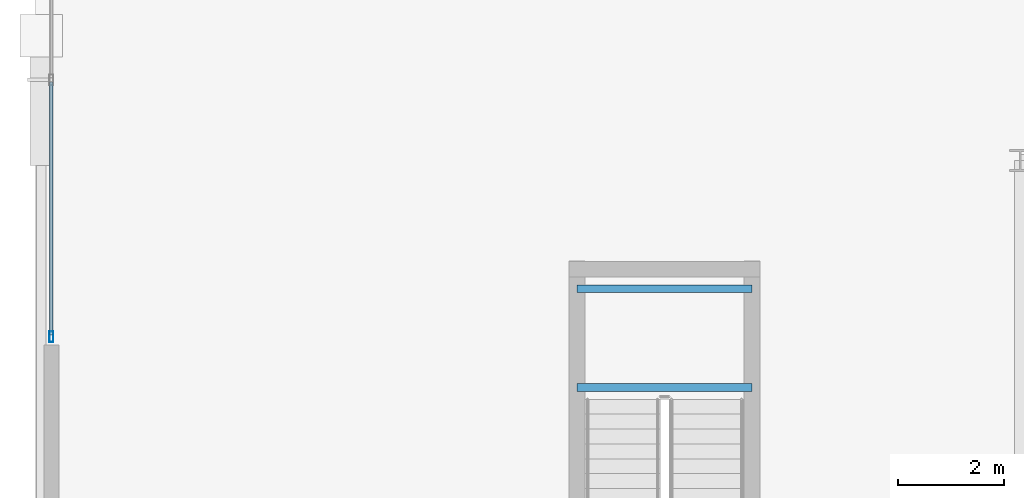
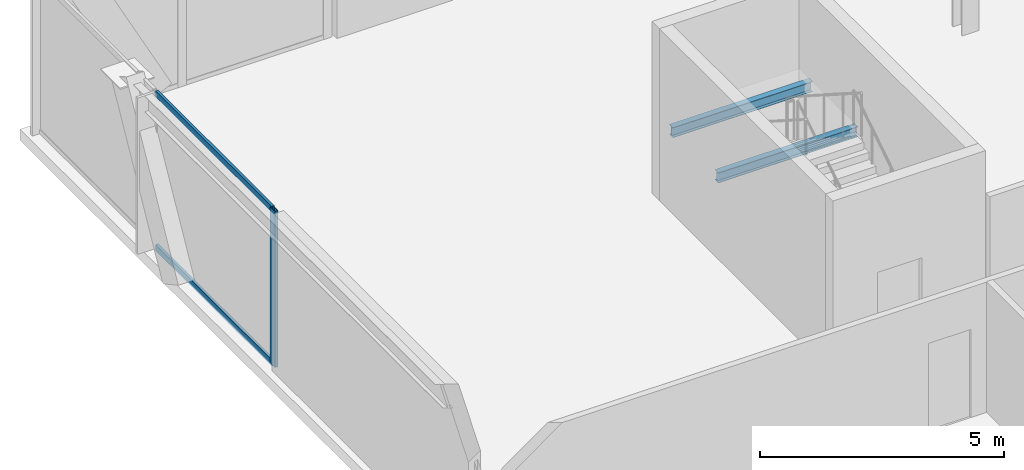
# One storey, part 24 of 46: 3 members, 2 beams, 1 element without a shape of its own.
"""IFC4 building model written with IfcOpenShell, lengths in metres."""

from ifc_helpers import new_model, si_unit, direction, frame, origin, origin_2d, place, context, subcontext, project, spatial, hollow_rectangle, i_section, extrude, material, layer, layer_set, material_profile, profile_set, type_object, element, aggregate, save


model = new_model("IFC4")

# Units and contexts
model_context = context("Model", 3, precision=1e-05, world=origin(), true_north=direction((0.0, 1.0)))
body_context = subcontext(model_context, "Body", "Model", "MODEL_VIEW")
ifc_project = project(units=[si_unit("LENGTHUNIT", "METRE"), si_unit("AREAUNIT", "SQUARE_METRE"), si_unit("VOLUMEUNIT", "CUBIC_METRE"), si_unit("PLANEANGLEUNIT", "RADIAN"), si_unit("MASSUNIT", "GRAM", prefix="KILO")], contexts=[model_context])

# Site, building, storey
site_placement = place(None, origin())
site = spatial("IfcSite", under=ifc_project, at=site_placement, CompositionType="ELEMENT")
building_placement = place(site_placement, origin())
building = spatial("IfcBuilding", under=site, at=building_placement, Name="Orvanel Arch Residences", CompositionType="ELEMENT")
storey_placement = place(building_placement, frame((0.0, 0.0, 14.10009765625)))
storey = spatial("IfcBuildingStorey", under=building, at=storey_placement, Name="L03", CompositionType="ELEMENT", Elevation=14.10009765625)

# Beams
ifc_material_1 = material(Name="Structural steel AS/NZS 3679.1 Grade 300 (300 MPa)", Category="steel")
ifc_material_profile_1 = material_profile(ifc_material_1, i_section(OverallWidth=0.14599609375, OverallDepth=0.251953125, WebThickness=0.006103515625, FlangeThickness=0.008544921875, at=origin_2d()), Name="250UB31.4")
ifc_profile_set_1 = profile_set([ifc_material_profile_1], Name="Structural steel AS/NZS 3679.1 Grade 300 (300 MPa)")
beam_type = type_object("IfcBeamType", Name="BJ-250UB", PredefinedType="JOIST", material=ifc_profile_set_1)
for number, where, z_axis, x_axis, name in (
    (1, (11.449951171875, 43.719970703125, 1.823974609375), (1.0, 0.0, 0.0), (0.0, 1.0, 0.0), "L03 ST-3 Half-Landing Support Beam 1.1"),
    (2, (11.449951171875, 45.580078125, 1.823974609375), (1.0, 0.0, 0.0), (0.0, 1.0, 0.0), "L03 ST-3 Half-Landing Support Beam 1.2"),
):
    element("IfcBeam", number, at=place(storey_placement, frame(where, z_axis=z_axis, x_axis=x_axis)), inside=storey, type_object=beam_type, Name=name, PredefinedType="JOIST", context=body_context, shape_type="SweptSolid", body=[
        extrude(i_section(OverallWidth=0.14599609375, OverallDepth=0.251953125, WebThickness=0.006103515625, FlangeThickness=0.008544921875, at=origin_2d()), origin(), (0.0, 0.0, 1.0), 3.300048828125),
    ])

# Curtain wall, members
ifc_material_2 = material(Name="Bronze-anodised aluminium AA6063-T6", Category="aluminium")
ifc_layer = layer(ifc_material_2, 0.199951171875)
ifc_layer_set = layer_set([ifc_layer], Name="Bronze-anodised aluminium AA6063-T6")
curtain_wall_type = type_object("IfcCurtainWallType", Name="CW1-POD-SYS", PredefinedType="NOTDEFINED", material=ifc_layer_set)
curtain_wall_placement = place(storey_placement, origin())
curtain_wall = element("IfcCurtainWall", 3, at=curtain_wall_placement, inside=storey, type_object=curtain_wall_type, Name="L03 CW1-POD-SYS Unitised Curtain Wall", PredefinedType="NOTDEFINED")
ifc_material_profile_2 = material_profile(ifc_material_2, hollow_rectangle(XDim=0.074951171875, YDim=0.199951171875, WallThickness=0.0048828125, at=origin_2d()), Name="ALU200x75x5")
ifc_profile_set_2 = profile_set([ifc_material_profile_2], Name="Bronze-anodised aluminium AA6063-T6")
member_type_1 = type_object("IfcMemberType", Name="MUL-200x75", PredefinedType="MULLION", material=ifc_profile_set_2)
member_1_placement = place(storey_placement, frame((1.550048828125, 44.677490234375, 0.0), z_axis=(0.0, 0.0, 1.0), x_axis=(1.0, 0.0, 0.0)))
member_1 = element("IfcMember", 4, at=member_1_placement, type_object=member_type_1, Name="CW-S1 mullion 3", PredefinedType="MULLION", context=body_context, shape_type="SweptSolid", body=[
    extrude(hollow_rectangle(XDim=0.074951171875, YDim=0.199951171875, WallThickness=0.0048828125, at=origin_2d()), origin(), (0.0, 0.0, 1.0), 3.89990234375),
])
ifc_material_profile_3 = material_profile(ifc_material_2, hollow_rectangle(XDim=0.06494140625, YDim=0.14990234375, WallThickness=0.00390625, at=origin_2d()), Name="ALU150x65x4")
ifc_profile_set_3 = profile_set([ifc_material_profile_3], Name="Bronze-anodised aluminium AA6063-T6")
member_type_2 = type_object("IfcMemberType", Name="TRN-150x65", PredefinedType="USERDEFINED", material=ifc_profile_set_3)
member_2_placement = place(storey_placement, frame((1.550048828125, 49.4775390625, 0.032470703125), z_axis=(0.0, -1.0, 0.0), x_axis=(1.0, 0.0, 0.0)))
member_2 = element("IfcMember", 5, at=member_2_placement, type_object=member_type_2, Name="CW-S1 transom 2.1", ObjectType="TRANSOM", PredefinedType="USERDEFINED", context=body_context, shape_type="SweptSolid", body=[
    extrude(hollow_rectangle(XDim=0.06494140625, YDim=0.14990234375, WallThickness=0.00390625, at=origin_2d()), origin(), (0.0, 0.0, 1.0), 4.762451171875),
])
member_3_placement = place(storey_placement, frame((1.550048828125, 49.4775390625, 3.867431640625), z_axis=(0.0, -1.0, 0.0), x_axis=(1.0, 0.0, 0.0)))
member_3 = element("IfcMember", 6, at=member_3_placement, type_object=member_type_2, Name="CW-S1 transom 2.2", ObjectType="TRANSOM", PredefinedType="USERDEFINED", context=body_context, shape_type="SweptSolid", body=[
    extrude(hollow_rectangle(XDim=0.06494140625, YDim=0.14990234375, WallThickness=0.00390625, at=origin_2d()), origin(), (0.0, 0.0, 1.0), 4.762451171875),
])
aggregate(curtain_wall, [member_1, member_2, member_3])

save(model, "model.ifc")
